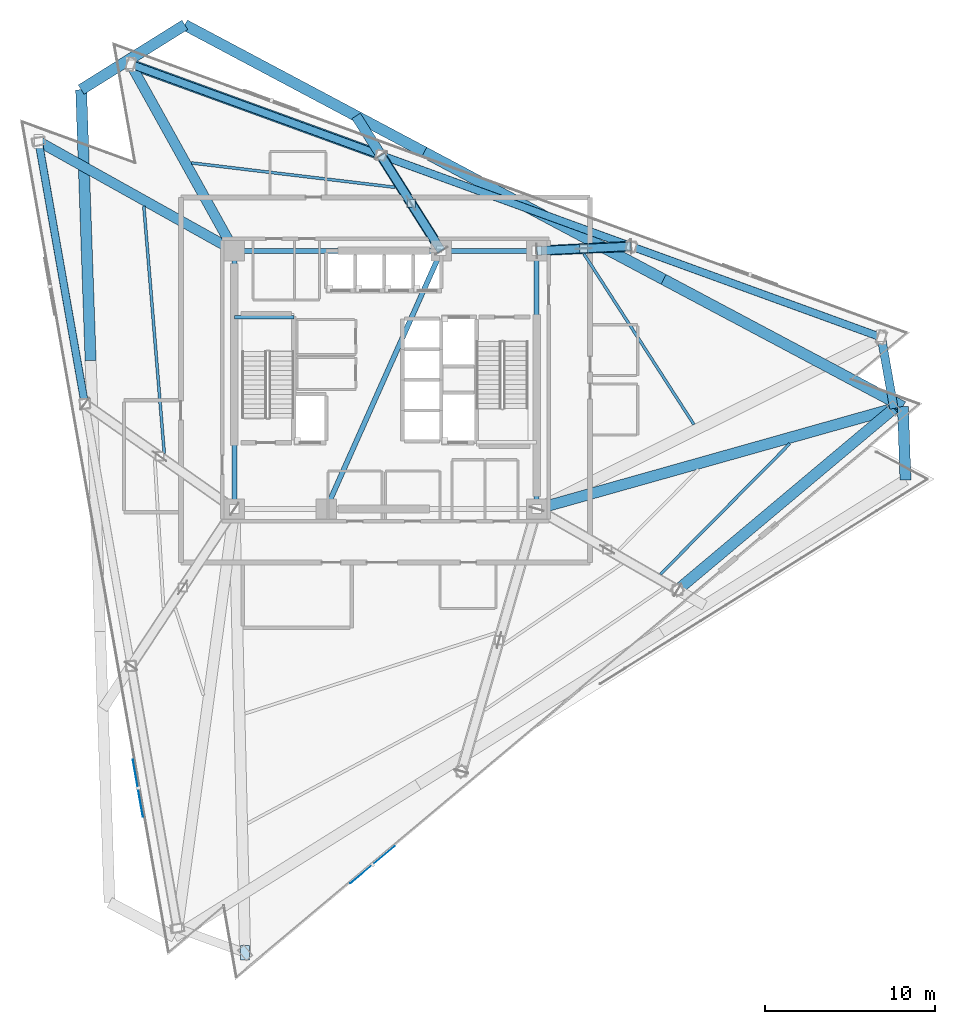
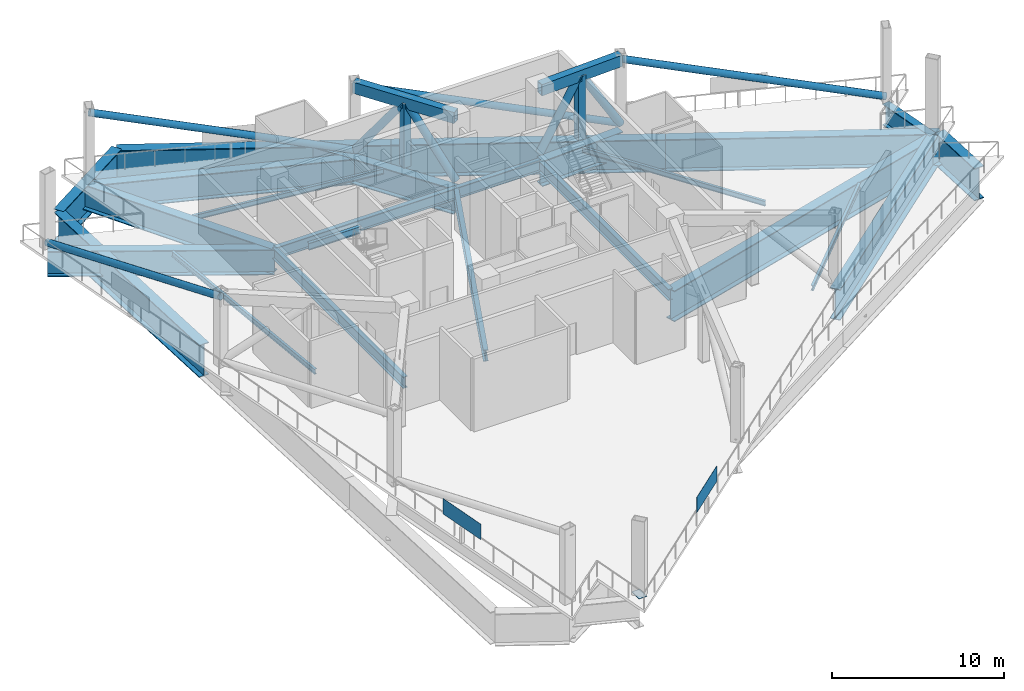
# One storey, part 2 of 15: 24 beams, 12 members, 3 plates.
"""IFC4 building model written with IfcOpenShell, lengths in metres."""

from ifc_helpers import new_model, si_unit, direction, frame, origin, origin_2d, place, context, subcontext, project, spatial, rectangle, hollow_rectangle, hollow_circle, i_section, extrude, material, layer, layer_set, material_profile, profile_set, type_object, element, save


model = new_model("IFC4")

# Units and contexts
model_context = context("Model", 3, precision=1e-05, world=origin(), true_north=direction((0.0, 1.0)))
body_context = subcontext(model_context, "Body", "Model", "MODEL_VIEW")
ifc_project = project(units=[si_unit("LENGTHUNIT", "METRE"), si_unit("AREAUNIT", "SQUARE_METRE"), si_unit("VOLUMEUNIT", "CUBIC_METRE"), si_unit("PLANEANGLEUNIT", "RADIAN"), si_unit("MASSUNIT", "GRAM", prefix="KILO")], contexts=[model_context])

# Site, building, storey
site_placement = place(None, origin())
site = spatial("IfcSite", under=ifc_project, at=site_placement, CompositionType="ELEMENT")
building_placement = place(site_placement, origin())
building = spatial("IfcBuilding", under=site, at=building_placement, Name="Tharavind Bronze Gate", CompositionType="ELEMENT")
storey_placement = place(building_placement, frame((0.0, 0.0, 165.14990234375)))
storey = spatial("IfcBuildingStorey", under=building, at=storey_placement, Name="L42", CompositionType="ELEMENT", Elevation=165.14990234375)

# Members
ifc_material_1 = material(Name="Steel S460", Category="steel")
ifc_material_profile_1 = material_profile(ifc_material_1, hollow_circle(Radius=0.228515625, WallThickness=0.02490234375, at=origin_2d()), Name="CHS457X25")
ifc_profile_set_1 = profile_set([ifc_material_profile_1], Name="Steel S460")
member_type_1 = type_object("IfcMemberType", Name="BELT TRUSS BRACE CHS457", PredefinedType="BRACE", material=ifc_profile_set_1)
member_1_placement = place(storey_placement, frame((-20.4326171875, 14.043212890625, 0.25), z_axis=(0.166709230522, -0.945472873504, 0.27980185476), x_axis=(0.984808313495, 0.173644998979, 0.0)))
element("IfcMember", 1, at=member_1_placement, inside=storey, type_object=member_type_1, Name="L42 belt truss brace 1.1", PredefinedType="BRACE", context=body_context, shape_type="SweptSolid", body=[
    extrude(hollow_circle(Radius=0.228515625, WallThickness=0.02490234375, at=origin_2d()), origin(), (0.0, 0.0, 1.0), 16.333251953125),
])
member_2_placement = place(storey_placement, frame((29.1962890625, 2.5048828125, 0.25), z_axis=(-0.902160754618, 0.328353331069, 0.279803614708), x_axis=(-0.342014321115, -0.939694739877, 0.0)))
element("IfcMember", 2, at=member_2_placement, inside=storey, type_object=member_type_1, Name="L42 belt truss brace 3.1", PredefinedType="BRACE", context=body_context, shape_type="SweptSolid", body=[
    extrude(hollow_circle(Radius=0.228515625, WallThickness=0.02490234375, at=origin_2d()), origin(), (0.0, 0.0, 1.0), 16.3330078125),
])
member_3_placement = place(storey_placement, frame((14.461181640625, 7.867919921875, 0.25), z_axis=(-0.902156326667, 0.328366666958, 0.279802241387), x_axis=(-0.342028069246, -0.939689735949, 0.0)))
element("IfcMember", 3, at=member_3_placement, inside=storey, type_object=member_type_1, Name="L42 belt truss brace 3.2", PredefinedType="BRACE", context=body_context, shape_type="SweptSolid", body=[
    extrude(hollow_circle(Radius=0.228515625, WallThickness=0.02490234375, at=origin_2d()), origin(), (0.0, 0.0, 1.0), 16.333251953125),
])
member_4_placement = place(storey_placement, frame((-0.27392578125, 13.231201171875, 0.25), z_axis=(-0.902157972729, 0.328357759004, 0.279807387936), x_axis=(-0.342019325037, -0.939692918618, 0.0)))
element("IfcMember", 4, at=member_4_placement, inside=storey, type_object=member_type_1, Name="L42 belt truss brace 3.3", PredefinedType="BRACE", context=body_context, shape_type="SweptSolid", body=[
    extrude(hollow_circle(Radius=0.228515625, WallThickness=0.02490234375, at=origin_2d()), origin(), (0.0, 0.0, 1.0), 16.3330078125),
])
ifc_material_profile_2 = material_profile(ifc_material_1, hollow_circle(Radius=0.25390625, WallThickness=0.031982421875, at=origin_2d()), Name="CHS508X32")
ifc_profile_set_2 = profile_set([ifc_material_profile_2], Name="Steel S460")
member_type_2 = type_object("IfcMemberType", Name="OUTRIGGER DIAGONAL BRACE CHS508", PredefinedType="BRACE", material=ifc_profile_set_2)
member_5_placement = place(storey_placement, frame((8.89990234375, 7.60009765625, 0.25), z_axis=(0.519645467757, 0.025001379836, 0.854016111584), x_axis=(-0.048056790476, 0.998844604976, 0.0)))
element("IfcMember", 5, at=member_5_placement, inside=storey, type_object=member_type_2, Name="L42 outrigger diagonal brace 5.1", PredefinedType="BRACE", context=body_context, shape_type="SweptSolid", body=[
    extrude(hollow_circle(Radius=0.25390625, WallThickness=0.031982421875, at=origin_2d()), origin(), (0.0, 0.0, 1.0), 5.351318359375),
])
member_6_placement = place(storey_placement, frame((11.6806640625, 7.73388671875, 4.820068359375), z_axis=(0.519611569991, 0.025047567998, -0.854035383148), x_axis=(-0.048148499731, 0.998840188405, 0.0)))
element("IfcMember", 6, at=member_6_placement, inside=storey, type_object=member_type_2, Name="L42 outrigger diagonal brace 5.2", PredefinedType="BRACE", context=body_context, shape_type="SweptSolid", body=[
    extrude(hollow_circle(Radius=0.25390625, WallThickness=0.031982421875, at=origin_2d()), origin(), (0.0, 0.0, 1.0), 5.35107421875),
])
for number, where, z_axis, x_axis, name in (
    (7, (3.280029296875, 7.60009765625, 0.25), (-0.31429591803, 0.497933854474, 0.808257355351), (-0.845633497732, -0.533763981095, 0.0), "L42 outrigger diagonal brace 6.1"),
    (8, (1.5029296875, 10.41552734375, 4.820068359375), (-0.314250247253, 0.49797308348, -0.808250945085), (-0.845687482532, -0.533678444279, 0.0), "L42 outrigger diagonal brace 6.2"),
):
    element("IfcMember", number, at=place(storey_placement, frame(where, z_axis=z_axis, x_axis=x_axis)), inside=storey, type_object=member_type_2, Name=name, PredefinedType="BRACE", context=body_context, shape_type="SweptSolid", body=[
        extrude(hollow_circle(Radius=0.25390625, WallThickness=0.031982421875, at=origin_2d()), origin(), (0.0, 0.0, 1.0), 5.654296875),
    ])
ifc_material_profile_3 = material_profile(ifc_material_1, hollow_rectangle(XDim=0.5, YDim=0.800048828125, WallThickness=0.0400390625, at=origin_2d()), Name="RHS800X500X40")
ifc_profile_set_3 = profile_set([ifc_material_profile_3], Name="Steel S460")
member_type_3 = type_object("IfcMemberType", Name="OUTRIGGER TOP CHORD RHS800", PredefinedType="CHORD", material=ifc_profile_set_3)
member_7_placement = place(storey_placement, frame((8.89990234375, 7.60009765625, 4.820068359375), z_axis=(0.998842397835, 0.048102643243, 0.0), x_axis=(-0.048102643243, 0.998842397835, 0.0)))
element("IfcMember", 9, at=member_7_placement, inside=storey, type_object=member_type_3, Name="L42 outrigger top chord 5", PredefinedType="CHORD", context=body_context, shape_type="SweptSolid", body=[
    extrude(hollow_rectangle(XDim=0.5, YDim=0.800048828125, WallThickness=0.0400390625, at=origin_2d()), origin(), (0.0, 0.0, 1.0), 5.567626953125),
])
member_8_placement = place(storey_placement, frame((3.280029296875, 7.60009765625, 4.820068359375), z_axis=(-0.53372121288, 0.845660491522, 0.0), x_axis=(-0.845660491522, -0.53372121288, 0.0)))
element("IfcMember", 10, at=member_8_placement, inside=storey, type_object=member_type_3, Name="L42 outrigger top chord 6", PredefinedType="CHORD", context=body_context, shape_type="SweptSolid", body=[
    extrude(hollow_rectangle(XDim=0.5, YDim=0.800048828125, WallThickness=0.0400390625, at=origin_2d()), origin(), (0.0, 0.0, 1.0), 6.658935546875),
])
ifc_material_profile_4 = material_profile(ifc_material_1, hollow_rectangle(XDim=0.5, YDim=0.5, WallThickness=0.031982421875, at=origin_2d()), Name="SHS500X32")
ifc_profile_set_4 = profile_set([ifc_material_profile_4], Name="Steel S460")
member_type_4 = type_object("IfcMemberType", Name="OUTRIGGER VERTICAL STRUT SHS500", PredefinedType="STRUT", material=ifc_profile_set_4)
for number, where, z_axis, x_axis, name in (
    (11, (11.6806640625, 7.73388671875, 0.25), (0.0, 0.0, 1.0), (1.0, 0.0, 0.0), "L42 outrigger vertical strut 5"),
    (12, (1.5029296875, 10.41552734375, 0.25), (0.0, 0.0, 1.0), (1.0, 0.0, 0.0), "L42 outrigger vertical strut 6"),
):
    element("IfcMember", number, at=place(storey_placement, frame(where, z_axis=z_axis, x_axis=x_axis)), inside=storey, type_object=member_type_4, Name=name, PredefinedType="STRUT", context=body_context, shape_type="SweptSolid", body=[
        extrude(hollow_rectangle(XDim=0.5, YDim=0.5, WallThickness=0.031982421875, at=origin_2d()), origin(), (0.0, 0.0, 1.0), 4.570068359375),
    ])

# Beams
ifc_material_2 = material(Name="Steel S355", Category="steel")
ifc_material_profile_5 = material_profile(ifc_material_2, i_section(OverallWidth=0.199951171875, OverallDepth=0.5, WebThickness=0.01025390625, FlangeThickness=0.01611328125, at=origin_2d()), Name="IPE500")
ifc_profile_set_5 = profile_set([ifc_material_profile_5], Name="Steel S355")
beam_type_1 = type_object("IfcBeamType", Name="PRIMARY GIRDER IPE500", PredefinedType="USERDEFINED", material=ifc_profile_set_5)
beam_1_placement = place(storey_placement, frame((-8.89990234375, 3.679931640625, 2.22509765625), z_axis=(1.0, 0.0, 0.0), x_axis=(0.0, 1.0, 0.0)))
element("IfcBeam", 13, at=beam_1_placement, inside=storey, type_object=beam_type_1, Name="L42 primary girder ipe500 BM-LD-ST1-L42-1", ObjectType="GIRDER", PredefinedType="USERDEFINED", context=body_context, shape_type="SweptSolid", body=[
    extrude(i_section(OverallWidth=0.199951171875, OverallDepth=0.5, WebThickness=0.01025390625, FlangeThickness=0.01611328125, at=origin_2d()), origin(), (0.0, 0.0, 1.0), 3.5),
])
ifc_material_profile_6 = material_profile(ifc_material_2, i_section(OverallWidth=0.300048828125, OverallDepth=0.800048828125, WebThickness=0.017578125, FlangeThickness=0.032958984375, at=origin_2d()), Name="HE800B")
ifc_profile_set_6 = profile_set([ifc_material_profile_6], Name="Steel S355")
beam_type_2 = type_object("IfcBeamType", Name="RING GIRDER HE800B", PredefinedType="USERDEFINED", material=ifc_profile_set_6)
beam_2_placement = place(storey_placement, frame((8.89990234375, -7.60009765625, -0.594970703125), z_axis=(0.0, 1.0, 0.0), x_axis=(-1.0, 0.0, 0.0)))
element("IfcBeam", 14, at=beam_2_placement, inside=storey, type_object=beam_type_2, Name="L42 ring girder he800b BM-L42-CR3", ObjectType="GIRDER", PredefinedType="USERDEFINED", context=body_context, shape_type="SweptSolid", body=[
    extrude(i_section(OverallWidth=0.300048828125, OverallDepth=0.800048828125, WebThickness=0.017578125, FlangeThickness=0.032958984375, at=origin_2d()), origin(), (0.0, 0.0, 1.0), 15.2001953125),
])
beam_3_placement = place(storey_placement, frame((8.89990234375, 7.60009765625, -0.594970703125), z_axis=(-1.0, 0.0, 0.0), x_axis=(0.0, -1.0, 0.0)))
element("IfcBeam", 15, at=beam_3_placement, inside=storey, type_object=beam_type_2, Name="L42 ring girder he800b BM-L42-CR4", ObjectType="GIRDER", PredefinedType="USERDEFINED", context=body_context, shape_type="SweptSolid", body=[
    extrude(i_section(OverallWidth=0.300048828125, OverallDepth=0.800048828125, WebThickness=0.017578125, FlangeThickness=0.032958984375, at=origin_2d()), origin(), (0.0, 0.0, 1.0), 5.619873046875),
])
beam_4_placement = place(storey_placement, frame((3.280029296875, 7.60009765625, -0.594970703125), z_axis=(-1.0, 0.0, 0.0), x_axis=(0.0, -1.0, 0.0)))
element("IfcBeam", 16, at=beam_4_placement, inside=storey, type_object=beam_type_2, Name="L42 ring girder he800b BM-L42-CR5", ObjectType="GIRDER", PredefinedType="USERDEFINED", context=body_context, shape_type="SweptSolid", body=[
    extrude(i_section(OverallWidth=0.300048828125, OverallDepth=0.800048828125, WebThickness=0.017578125, FlangeThickness=0.032958984375, at=origin_2d()), origin(), (0.0, 0.0, 1.0), 12.179931640625),
])
beam_5_placement = place(storey_placement, frame((-8.89990234375, 7.60009765625, -0.594970703125), z_axis=(0.0, -1.0, 0.0), x_axis=(1.0, 0.0, 0.0)))
element("IfcBeam", 17, at=beam_5_placement, inside=storey, type_object=beam_type_2, Name="L42 ring girder he800b BM-L42-CR6", ObjectType="GIRDER", PredefinedType="USERDEFINED", context=body_context, shape_type="SweptSolid", body=[
    extrude(i_section(OverallWidth=0.300048828125, OverallDepth=0.800048828125, WebThickness=0.017578125, FlangeThickness=0.032958984375, at=origin_2d()), origin(), (0.0, 0.0, 1.0), 15.2001953125),
])
beam_6_placement = place(storey_placement, frame((-3.5, -7.60009765625, -0.594970703125), z_axis=(0.407361644566, 0.913266932795, 0.0), x_axis=(-0.913266932795, 0.407361644566, 0.0)))
element("IfcBeam", 18, at=beam_6_placement, inside=storey, type_object=beam_type_2, Name="L42 ring girder he800b BM-L42-CR7", ObjectType="GIRDER", PredefinedType="USERDEFINED", context=body_context, shape_type="SweptSolid", body=[
    extrude(i_section(OverallWidth=0.300048828125, OverallDepth=0.800048828125, WebThickness=0.017578125, FlangeThickness=0.032958984375, at=origin_2d()), origin(), (0.0, 0.0, 1.0), 16.643798828125),
])
ifc_material_profile_7 = material_profile(ifc_material_2, i_section(OverallWidth=0.169921875, OverallDepth=0.360107421875, WebThickness=0.008056640625, FlangeThickness=0.0126953125, at=origin_2d()), Name="IPE360")
ifc_profile_set_7 = profile_set([ifc_material_profile_7], Name="Steel S355")
beam_type_3 = type_object("IfcBeamType", Name="SECONDARY FLOOR JOIST IPE360", PredefinedType="JOIST", material=ifc_profile_set_7)
beam_7_placement = place(storey_placement, frame((-14.232421875, 10.231689453125, -0.375), z_axis=(0.082396623643, -0.996599616904, 0.0), x_axis=(0.996599616904, 0.082396623643, 0.0)))
element("IfcBeam", 19, at=beam_7_placement, inside=storey, type_object=beam_type_3, Name="L42 secondary floor joist ipe360 BM-L42-JSTA01", PredefinedType="JOIST", context=body_context, shape_type="SweptSolid", body=[
    extrude(i_section(OverallWidth=0.169921875, OverallDepth=0.360107421875, WebThickness=0.008056640625, FlangeThickness=0.0126953125, at=origin_2d()), origin(), (0.0, 0.0, 1.0), 14.6044921875),
])
beam_8_placement = place(storey_placement, frame((16.1943359375, -11.437744140625, -0.375), z_axis=(0.703490399812, 0.710704761046, 0.0), x_axis=(-0.710704761046, 0.703490399812, 0.0)))
element("IfcBeam", 20, at=beam_8_placement, inside=storey, type_object=beam_type_3, Name="L42 secondary floor joist ipe360 BM-L42-JSTB07", PredefinedType="JOIST", context=body_context, shape_type="SweptSolid", body=[
    extrude(i_section(OverallWidth=0.169921875, OverallDepth=0.360107421875, WebThickness=0.008056640625, FlangeThickness=0.0126953125, at=origin_2d()), origin(), (0.0, 0.0, 1.0), 10.8291015625),
])
beam_9_placement = place(storey_placement, frame((18.158447265625, -2.623046875, -0.375), z_axis=(-0.541927882794, 0.84042499359, 0.0), x_axis=(-0.84042499359, -0.541927882794, 0.0)))
element("IfcBeam", 21, at=beam_9_placement, inside=storey, type_object=beam_type_3, Name="L42 secondary floor joist ipe360 BM-L42-JSTA09", PredefinedType="JOIST", context=body_context, shape_type="SweptSolid", body=[
    extrude(i_section(OverallWidth=0.169921875, OverallDepth=0.360107421875, WebThickness=0.008056640625, FlangeThickness=0.0126953125, at=origin_2d()), origin(), (0.0, 0.0, 1.0), 11.961669921875),
])
beam_10_placement = place(storey_placement, frame((0.560302734375, 11.34130859375, -0.375), z_axis=(-0.992895193398, 0.118992163301, 0.0), x_axis=(-0.118992163301, -0.992895193398, 0.0)))
element("IfcBeam", 22, at=beam_10_placement, inside=storey, type_object=beam_type_3, Name="L42 secondary floor joist ipe360 BM-L42-JSTA11", PredefinedType="JOIST", context=body_context, shape_type="SweptSolid", body=[
    extrude(i_section(OverallWidth=0.169921875, OverallDepth=0.360107421875, WebThickness=0.008056640625, FlangeThickness=0.0126953125, at=origin_2d()), origin(), (0.0, 0.0, 1.0), 12.076416015625),
])
ifc_material_profile_8 = material_profile(ifc_material_1, i_section(OverallWidth=0.5, OverallDepth=1.5, WebThickness=0.028076171875, FlangeThickness=0.050048828125, at=origin_2d()), Name="PG1500X500")
ifc_profile_set_8 = profile_set([ifc_material_profile_8], Name="Steel S460")
beam_type_4 = type_object("IfcBeamType", Name="TRANSFER GIRDER 1500X500", PredefinedType="USERDEFINED", material=ifc_profile_set_8)
beam_11_placement = place(storey_placement, frame((29.933837890625, -1.6787109375, -0.94482421875), z_axis=(-0.173618127207, 0.984813051246, 0.0), x_axis=(-0.984813051246, -0.173618127207, 0.0)))
element("IfcBeam", 23, at=beam_11_placement, inside=storey, type_object=beam_type_4, Name="L42 transfer girder 1500x500 BM-L42-URG08", ObjectType="TRANSFER GIRDER", PredefinedType="USERDEFINED", context=body_context, shape_type="SweptSolid", body=[
    extrude(i_section(OverallWidth=0.5, OverallDepth=1.5, WebThickness=0.028076171875, FlangeThickness=0.050048828125, at=origin_2d()), origin(), (0.0, 0.0, 1.0), 4.248046875),
])
ifc_material_profile_9 = material_profile(ifc_material_1, i_section(OverallWidth=0.60009765625, OverallDepth=1.800048828125, WebThickness=0.031982421875, FlangeThickness=0.054931640625, at=origin_2d()), Name="PG1800X600")
ifc_profile_set_9 = profile_set([ifc_material_profile_9], Name="Steel S460")
beam_type_5 = type_object("IfcBeamType", Name="TRANSFER GIRDER 1800X600", PredefinedType="USERDEFINED", material=ifc_profile_set_9)
beam_12_placement = place(storey_placement, frame((-0.27392578125, 13.231201171875, -1.094970703125), z_axis=(-0.939692918618, 0.342019325037, 0.0), x_axis=(-0.342019325037, -0.939692918618, 0.0)))
element("IfcBeam", 24, at=beam_12_placement, inside=storey, type_object=beam_type_5, Name="L42 transfer girder 1800x600 BM-L42-URG11", ObjectType="TRANSFER GIRDER", PredefinedType="USERDEFINED", context=body_context, shape_type="SweptSolid", body=[
    extrude(i_section(OverallWidth=0.60009765625, OverallDepth=1.800048828125, WebThickness=0.031982421875, FlangeThickness=0.054931640625, at=origin_2d()), origin(), (0.0, 0.0, 1.0), 15.680419921875),
])
beam_13_placement = place(storey_placement, frame((-8.89990234375, 7.60009765625, -1.094970703125), z_axis=(-0.872996251482, 0.487726916315, 0.0), x_axis=(-0.487726916315, -0.872996251482, 0.0)))
element("IfcBeam", 25, at=beam_13_placement, inside=storey, type_object=beam_type_5, Name="L42 transfer girder 1800x600 BM-L42-XFR01", ObjectType="TRANSFER GIRDER", PredefinedType="USERDEFINED", context=body_context, shape_type="SweptSolid", body=[
    extrude(i_section(OverallWidth=0.60009765625, OverallDepth=1.800048828125, WebThickness=0.031982421875, FlangeThickness=0.054931640625, at=origin_2d()), origin(), (0.0, 0.0, 1.0), 13.21044921875),
])
beam_14_placement = place(storey_placement, frame((8.89990234375, 7.60009765625, -1.094970703125), z_axis=(0.998842397835, 0.048102643243, 0.0), x_axis=(-0.048102643243, 0.998842397835, 0.0)))
element("IfcBeam", 26, at=beam_14_placement, inside=storey, type_object=beam_type_5, Name="L42 transfer girder 1800x600 BM-L42-XFR10", ObjectType="TRANSFER GIRDER", PredefinedType="USERDEFINED", context=body_context, shape_type="SweptSolid", body=[
    extrude(i_section(OverallWidth=0.60009765625, OverallDepth=1.800048828125, WebThickness=0.031982421875, FlangeThickness=0.054931640625, at=origin_2d()), origin(), (0.0, 0.0, 1.0), 5.567626953125),
])
beam_15_placement = place(storey_placement, frame((3.280029296875, 7.60009765625, -1.094970703125), z_axis=(-0.533726081292, 0.845657418905, 0.0), x_axis=(-0.845657418905, -0.533726081292, 0.0)))
element("IfcBeam", 27, at=beam_15_placement, inside=storey, type_object=beam_type_5, Name="L42 transfer girder 1800x600 BM-L42-XFR11", ObjectType="TRANSFER GIRDER", PredefinedType="USERDEFINED", context=body_context, shape_type="SweptSolid", body=[
    extrude(i_section(OverallWidth=0.60009765625, OverallDepth=1.800048828125, WebThickness=0.031982421875, FlangeThickness=0.054931640625, at=origin_2d()), origin(), (0.0, 0.0, 1.0), 9.39599609375),
])
beam_16_placement = place(storey_placement, frame((-8.89990234375, 7.60009765625, -1.094970703125), z_axis=(-0.48571713715, 0.87411604646, 0.0), x_axis=(-0.87411604646, -0.48571713715, 0.0)))
element("IfcBeam", 28, at=beam_16_placement, inside=storey, type_object=beam_type_5, Name="L42 transfer girder 1800x600 BM-L42-XFR12", ObjectType="TRANSFER GIRDER", PredefinedType="USERDEFINED", context=body_context, shape_type="SweptSolid", body=[
    extrude(i_section(OverallWidth=0.60009765625, OverallDepth=1.800048828125, WebThickness=0.031982421875, FlangeThickness=0.054931640625, at=origin_2d()), origin(), (0.0, 0.0, 1.0), 12.849365234375),
])
ifc_material_profile_10 = material_profile(ifc_material_1, i_section(OverallWidth=0.64990234375, OverallDepth=2.199951171875, WebThickness=0.035888671875, FlangeThickness=0.054931640625, at=origin_2d()), Name="PG2200X650")
ifc_profile_set_10 = profile_set([ifc_material_profile_10], Name="Steel S460")
beam_type_6 = type_object("IfcBeamType", Name="TRANSFER GIRDER 2200X650", PredefinedType="USERDEFINED", material=ifc_profile_set_10)
beam_17_placement = place(storey_placement, frame((17.198486328125, -12.36474609375, -1.294921875), z_axis=(0.766050178558, 0.642780774394, 0.0), x_axis=(-0.642780774394, 0.766050178558, 0.0)))
element("IfcBeam", 29, at=beam_17_placement, inside=storey, type_object=beam_type_6, Name="L42 transfer girder 2200x650 BM-L42-URG07", ObjectType="TRANSFER GIRDER", PredefinedType="USERDEFINED", context=body_context, shape_type="SweptSolid", body=[
    extrude(i_section(OverallWidth=0.64990234375, OverallDepth=2.199951171875, WebThickness=0.035888671875, FlangeThickness=0.054931640625, at=origin_2d()), origin(), (0.0, 0.0, 1.0), 16.624755859375),
])
beam_18_placement = place(storey_placement, frame((8.89990234375, -7.60009765625, -1.294921875), z_axis=(0.962582921243, 0.270987305479, 0.0), x_axis=(-0.270987305479, 0.962582921243, 0.0)))
element("IfcBeam", 30, at=beam_18_placement, inside=storey, type_object=beam_type_6, Name="L42 transfer girder 2200x650 BM-L42-XFR08", ObjectType="TRANSFER GIRDER", PredefinedType="USERDEFINED", context=body_context, shape_type="SweptSolid", body=[
    extrude(i_section(OverallWidth=0.64990234375, OverallDepth=2.199951171875, WebThickness=0.035888671875, FlangeThickness=0.054931640625, at=origin_2d()), origin(), (0.0, 0.0, 1.0), 22.344970703125),
])
ifc_material_profile_11 = material_profile(ifc_material_1, i_section(OverallWidth=0.64990234375, OverallDepth=2.300048828125, WebThickness=0.035888671875, FlangeThickness=0.05810546875, at=origin_2d()), Name="PG2300X650")
ifc_profile_set_11 = profile_set([ifc_material_profile_11], Name="Steel S460")
beam_type_7 = type_object("IfcBeamType", Name="TRANSFER GIRDER 2300X650", PredefinedType="USERDEFINED", material=ifc_profile_set_11)
beam_19_placement = place(storey_placement, frame((-17.9248046875, 17.09228515625, -1.344970703125), z_axis=(0.034885784199, -0.999391305776, 0.0), x_axis=(0.999391305776, 0.034885784199, 0.0)))
element("IfcBeam", 31, at=beam_19_placement, inside=storey, type_object=beam_type_7, Name="L42 transfer girder 2300x650 BM-L42-LRG01", ObjectType="TRANSFER GIRDER", PredefinedType="USERDEFINED", context=body_context, shape_type="SweptSolid", body=[
    extrude(i_section(OverallWidth=0.64990234375, OverallDepth=2.300048828125, WebThickness=0.035888671875, FlangeThickness=0.05810546875, at=origin_2d()), origin(), (0.0, 0.0, 1.0), 15.963134765625),
])
beam_20_placement = place(storey_placement, frame((30.615478515625, -5.89208984375, -1.344970703125), z_axis=(-0.034869079132, 0.999391888761, 0.0), x_axis=(-0.999391888761, -0.034869079132, 0.0)))
element("IfcBeam", 32, at=beam_20_placement, inside=storey, type_object=beam_type_7, Name="L42 transfer girder 2300x650 BM-L42-LRG08", ObjectType="TRANSFER GIRDER", PredefinedType="USERDEFINED", context=body_context, shape_type="SweptSolid", body=[
    extrude(i_section(OverallWidth=0.64990234375, OverallDepth=2.300048828125, WebThickness=0.035888671875, FlangeThickness=0.05810546875, at=origin_2d()), origin(), (0.0, 0.0, 1.0), 4.320068359375),
])
beam_21_placement = place(storey_placement, frame((30.46484375, -1.57470703125, -1.344970703125), z_axis=(-0.882951706672, 0.469463825747, 0.0), x_axis=(-0.469463825747, -0.882951706672, 0.0)))
element("IfcBeam", 33, at=beam_21_placement, inside=storey, type_object=beam_type_7, Name="L42 transfer girder 2300x650 BM-L42-LRG09", ObjectType="TRANSFER GIRDER", PredefinedType="USERDEFINED", context=body_context, shape_type="SweptSolid", body=[
    extrude(i_section(OverallWidth=0.64990234375, OverallDepth=2.300048828125, WebThickness=0.035888671875, FlangeThickness=0.05810546875, at=origin_2d()), origin(), (0.0, 0.0, 1.0), 15.963134765625),
])
beam_22_placement = place(storey_placement, frame((16.3701171875, 5.91943359375, -1.344970703125), z_axis=(-0.882948335869, 0.469470165385, 0.0), x_axis=(-0.469470165385, -0.882948335869, 0.0)))
element("IfcBeam", 34, at=beam_22_placement, inside=storey, type_object=beam_type_7, Name="L42 transfer girder 2300x650 BM-L42-LRG10", ObjectType="TRANSFER GIRDER", PredefinedType="USERDEFINED", context=body_context, shape_type="SweptSolid", body=[
    extrude(i_section(OverallWidth=0.64990234375, OverallDepth=2.300048828125, WebThickness=0.035888671875, FlangeThickness=0.05810546875, at=origin_2d()), origin(), (0.0, 0.0, 1.0), 15.962890625),
])
beam_23_placement = place(storey_placement, frame((2.275634765625, 13.41357421875, -1.344970703125), z_axis=(-0.882951706672, 0.469463825747, 0.0), x_axis=(-0.469463825747, -0.882951706672, 0.0)))
element("IfcBeam", 35, at=beam_23_placement, inside=storey, type_object=beam_type_7, Name="L42 transfer girder 2300x650 BM-L42-LRG11", ObjectType="TRANSFER GIRDER", PredefinedType="USERDEFINED", context=body_context, shape_type="SweptSolid", body=[
    extrude(i_section(OverallWidth=0.64990234375, OverallDepth=2.300048828125, WebThickness=0.035888671875, FlangeThickness=0.05810546875, at=origin_2d()), origin(), (0.0, 0.0, 1.0), 15.963134765625),
])
beam_24_placement = place(storey_placement, frame((-11.819091796875, 20.90771484375, -1.344970703125), z_axis=(-0.848038306973, -0.52993492988, 0.0), x_axis=(0.52993492988, -0.848038306973, 0.0)))
element("IfcBeam", 36, at=beam_24_placement, inside=storey, type_object=beam_type_7, Name="L42 transfer girder 2300x650 BM-L42-LRG12", ObjectType="TRANSFER GIRDER", PredefinedType="USERDEFINED", context=body_context, shape_type="SweptSolid", body=[
    extrude(i_section(OverallWidth=0.64990234375, OverallDepth=2.300048828125, WebThickness=0.035888671875, FlangeThickness=0.05810546875, at=origin_2d()), origin(), (0.0, 0.0, 1.0), 7.19970703125),
])

# Plates
ifc_material_3 = material(Name="Perforated Bronze Alloy", Category="bronze")
ifc_layer_1 = layer(ifc_material_3, 0.011962890625)
ifc_layer_set_1 = layer_set([ifc_layer_1], Name="Perforated Bronze Alloy")
plate_type_1 = type_object("IfcPlateType", Name="BRONZE PERFORATED SOLAR SCREEN", PredefinedType="USERDEFINED", material=ifc_layer_set_1)
for number, where, z_axis, x_axis, name in (
    (37, (-14.581298828125, -24.036376953125, 1.10009765625), (0.0, 0.0, 1.0), (0.173648177667, -0.984807753012, 0.0), "L42 wind floor acoustic bronze baffle 1.2"),
    (38, (-0.760986328125, -28.54443359375, 1.10009765625), (0.0, 0.0, 1.0), (0.766044443119, 0.642787609687, 0.0), "L42 wind floor acoustic bronze baffle 2.1"),
):
    element("IfcPlate", number, at=place(storey_placement, frame(where, z_axis=z_axis, x_axis=x_axis)), inside=storey, type_object=plate_type_1, Name=name, ObjectType="SCREEN", PredefinedType="USERDEFINED", context=body_context, shape_type="SweptSolid", body=[
        extrude(rectangle(XDim=3.39990234375, YDim=0.011962890625, at=origin_2d()), origin(), (0.0, 0.0, 1.0), 1.10009765625),
    ])
ifc_layer_2 = layer(ifc_material_1, 0.02490234375)
ifc_layer_set_2 = layer_set([ifc_layer_2], Name="Steel S460")
plate_type_2 = type_object("IfcPlateType", Name="STEEL END CAP SHEET 25", PredefinedType="SHEET", material=ifc_layer_set_2)
plate_placement = place(storey_placement, frame((-8.27197265625, -33.737060546875, -0.012451171875), z_axis=(0.0, 0.0, 1.0), x_axis=(1.0, 0.0, 0.0)))
element("IfcPlate", 39, at=plate_placement, inside=storey, type_object=plate_type_2, Name="Steel end cap plate CAP-COLB-L42-S2C1", PredefinedType="SHEET", context=body_context, shape_type="SweptSolid", body=[
    extrude(rectangle(XDim=0.544921875, YDim=0.844970703125, at=origin_2d()), origin(), (0.0, 0.0, 1.0), 0.02490234375),
])

save(model, "model.ifc")
